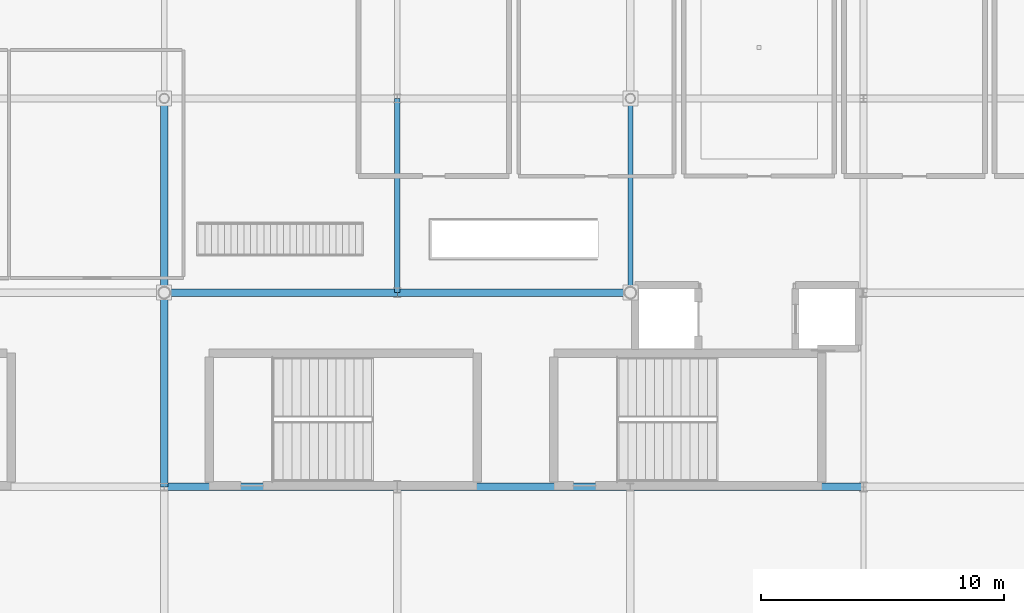
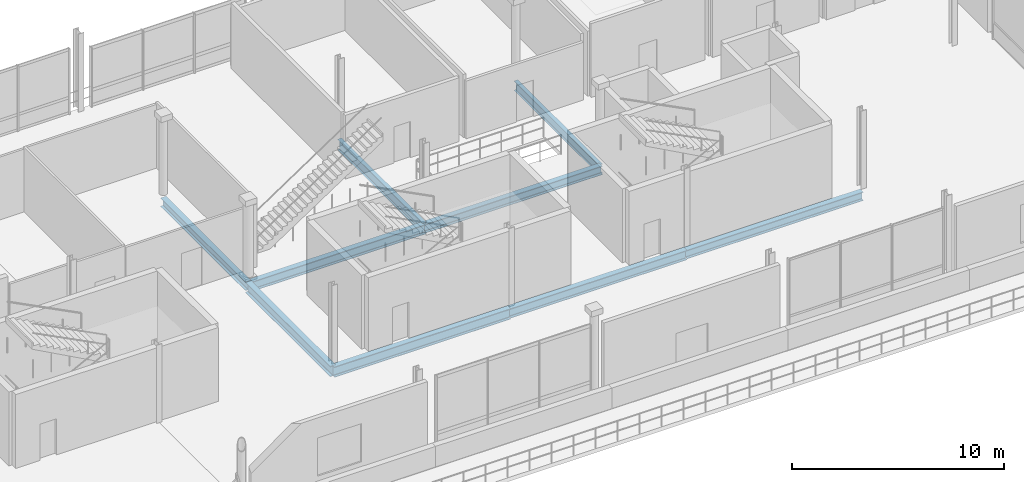
# One storey, part 16 of 36: 9 beams.
"""IFC4 building model written with IfcOpenShell, lengths in metres."""

from ifc_helpers import new_model, si_unit, direction, frame, origin, origin_2d, place, context, subcontext, project, spatial, i_section, extrude, material, material_profile, profile_set, type_object, element, save


model = new_model("IFC4")

# Units and contexts
model_context = context("Model", 3, precision=1e-05, world=origin(), true_north=direction((0.0, 1.0)))
body_context = subcontext(model_context, "Body", "Model", "MODEL_VIEW")
ifc_project = project(units=[si_unit("LENGTHUNIT", "METRE"), si_unit("AREAUNIT", "SQUARE_METRE"), si_unit("VOLUMEUNIT", "CUBIC_METRE"), si_unit("PLANEANGLEUNIT", "RADIAN"), si_unit("MASSUNIT", "GRAM", prefix="KILO")], contexts=[model_context])

# Site, building, storey
site_placement = place(None, origin())
site = spatial("IfcSite", under=ifc_project, at=site_placement, CompositionType="ELEMENT")
building_placement = place(site_placement, origin())
building = spatial("IfcBuilding", under=site, at=building_placement, Name="Danafjord Basin Convention Centre", CompositionType="ELEMENT")
storey_placement = place(building_placement, frame((0.0, 0.0, 20.39990234375)))
storey = spatial("IfcBuildingStorey", under=building, at=storey_placement, Name="L04", CompositionType="ELEMENT", Elevation=20.39990234375)

# Beams
ifc_material = material(Name="Steel S355", Category="steel")
ifc_material_profile_1 = material_profile(ifc_material, i_section(OverallWidth=0.300048828125, OverallDepth=0.5, WebThickness=0.014404296875, FlangeThickness=0.028076171875, FilletRadius=0.027099609375, at=origin_2d()), Name="HEB 500")
ifc_profile_set_1 = profile_set([ifc_material_profile_1], Name="Steel S355")
beam_type_1 = type_object("IfcBeamType", Name="BEAM-BM-HEB500", PredefinedType="BEAM", material=ifc_profile_set_1)
beam_1_placement = place(storey_placement, frame((76.800048828125, 24.0, -0.473876953125), z_axis=(1.0, 0.0, 0.0), x_axis=(0.0, 1.0, 0.0)))
element("IfcBeam", 1, at=beam_1_placement, inside=storey, type_object=beam_type_1, Name="L04 girder BM-HEB500", PredefinedType="BEAM", context=body_context, shape_type="SweptSolid", body=[
    extrude(i_section(OverallWidth=0.300048828125, OverallDepth=0.5, WebThickness=0.014404296875, FlangeThickness=0.028076171875, FilletRadius=0.027099609375, at=origin_2d()), origin(), (0.0, 0.0, 1.0), 9.599853515625),
])
beam_2_placement = place(storey_placement, frame((86.39990234375, 16.0, -0.473876953125), z_axis=(1.0, 0.0, 0.0), x_axis=(0.0, 1.0, 0.0)))
element("IfcBeam", 2, at=beam_2_placement, inside=storey, type_object=beam_type_1, Name="L04 girder BM-HEB500", PredefinedType="BEAM", context=body_context, shape_type="SweptSolid", body=[
    extrude(i_section(OverallWidth=0.300048828125, OverallDepth=0.5, WebThickness=0.014404296875, FlangeThickness=0.028076171875, FilletRadius=0.027099609375, at=origin_2d()), origin(), (0.0, 0.0, 1.0), 9.60009765625),
])
beam_3_placement = place(storey_placement, frame((67.199951171875, 24.0, -0.473876953125), z_axis=(0.0, 1.0, 0.0), x_axis=(-1.0, 0.0, 0.0)))
element("IfcBeam", 3, at=beam_3_placement, inside=storey, type_object=beam_type_1, Name="L04 transverse girder BM-HEB500", PredefinedType="BEAM", context=body_context, shape_type="SweptSolid", body=[
    extrude(i_section(OverallWidth=0.300048828125, OverallDepth=0.5, WebThickness=0.014404296875, FlangeThickness=0.028076171875, FilletRadius=0.027099609375, at=origin_2d()), origin(), (0.0, 0.0, 1.0), 8.0),
])
ifc_material_profile_2 = material_profile(ifc_material, i_section(OverallWidth=0.300048828125, OverallDepth=0.550048828125, WebThickness=0.014892578125, FlangeThickness=0.029052734375, FilletRadius=0.027099609375, at=origin_2d()), Name="HEB 550")
ifc_profile_set_2 = profile_set([ifc_material_profile_2], Name="Steel S355")
beam_type_2 = type_object("IfcBeamType", Name="BEAM-BM-HEB550", PredefinedType="BEAM", material=ifc_profile_set_2)
beam_4_placement = place(storey_placement, frame((67.199951171875, 24.0, -0.4990234375), z_axis=(1.0, 0.0, 0.0), x_axis=(0.0, 1.0, 0.0)))
element("IfcBeam", 4, at=beam_4_placement, inside=storey, type_object=beam_type_2, Name="L04 girder BM-HEB550", PredefinedType="BEAM", context=body_context, shape_type="SweptSolid", body=[
    extrude(i_section(OverallWidth=0.300048828125, OverallDepth=0.550048828125, WebThickness=0.014892578125, FlangeThickness=0.029052734375, FilletRadius=0.027099609375, at=origin_2d()), origin(), (0.0, 0.0, 1.0), 9.60009765625),
])
beam_5_placement = place(storey_placement, frame((76.800048828125, 16.0, -0.4990234375), z_axis=(1.0, 0.0, 0.0), x_axis=(0.0, 1.0, 0.0)))
element("IfcBeam", 5, at=beam_5_placement, inside=storey, type_object=beam_type_2, Name="L04 girder BM-HEB550", PredefinedType="BEAM", context=body_context, shape_type="SweptSolid", body=[
    extrude(i_section(OverallWidth=0.300048828125, OverallDepth=0.550048828125, WebThickness=0.014892578125, FlangeThickness=0.029052734375, FilletRadius=0.027099609375, at=origin_2d()), origin(), (0.0, 0.0, 1.0), 9.599853515625),
])
ifc_material_profile_3 = material_profile(ifc_material, i_section(OverallWidth=0.300048828125, OverallDepth=0.60009765625, WebThickness=0.015380859375, FlangeThickness=0.030029296875, FilletRadius=0.027099609375, at=origin_2d()), Name="HEB 600")
ifc_profile_set_3 = profile_set([ifc_material_profile_3], Name="Steel S355")
beam_type_3 = type_object("IfcBeamType", Name="BEAM-BM-HEB600", PredefinedType="BEAM", material=ifc_profile_set_3)
beam_6_placement = place(storey_placement, frame((67.199951171875, 16.0, -0.52392578125), z_axis=(1.0, 0.0, 0.0), x_axis=(0.0, 1.0, 0.0)))
element("IfcBeam", 6, at=beam_6_placement, inside=storey, type_object=beam_type_3, Name="L04 girder BM-HEB600", PredefinedType="BEAM", context=body_context, shape_type="SweptSolid", body=[
    extrude(i_section(OverallWidth=0.300048828125, OverallDepth=0.60009765625, WebThickness=0.015380859375, FlangeThickness=0.030029296875, FilletRadius=0.027099609375, at=origin_2d()), origin(), (0.0, 0.0, 1.0), 9.60009765625),
])
beam_7_placement = place(storey_placement, frame((67.199951171875, 16.0, -0.52392578125), z_axis=(0.0, 1.0, 0.0), x_axis=(-1.0, 0.0, 0.0)))
element("IfcBeam", 7, at=beam_7_placement, inside=storey, type_object=beam_type_3, Name="L04 transverse girder BM-HEB600", PredefinedType="BEAM", context=body_context, shape_type="SweptSolid", body=[
    extrude(i_section(OverallWidth=0.300048828125, OverallDepth=0.60009765625, WebThickness=0.015380859375, FlangeThickness=0.030029296875, FilletRadius=0.027099609375, at=origin_2d()), origin(), (0.0, 0.0, 1.0), 8.0),
])
ifc_material_profile_4 = material_profile(ifc_material, i_section(OverallWidth=0.2099609375, OverallDepth=0.550048828125, WebThickness=0.010986328125, FlangeThickness=0.01708984375, FilletRadius=0.02392578125, at=origin_2d()), Name="IPE 550")
ifc_profile_set_4 = profile_set([ifc_material_profile_4], Name="Steel S355")
beam_type_4 = type_object("IfcBeamType", Name="BEAM-BM-IPE550", PredefinedType="BEAM", material=ifc_profile_set_4)
beam_8_placement = place(storey_placement, frame((86.39990234375, 24.0, -0.4990234375), z_axis=(0.0, 1.0, 0.0), x_axis=(-1.0, 0.0, 0.0)))
element("IfcBeam", 8, at=beam_8_placement, inside=storey, type_object=beam_type_4, Name="L04 transverse girder BM-IPE550", PredefinedType="BEAM", context=body_context, shape_type="SweptSolid", body=[
    extrude(i_section(OverallWidth=0.2099609375, OverallDepth=0.550048828125, WebThickness=0.010986328125, FlangeThickness=0.01708984375, FilletRadius=0.02392578125, at=origin_2d()), origin(), (0.0, 0.0, 1.0), 8.0),
])
ifc_material_profile_5 = material_profile(ifc_material, i_section(OverallWidth=0.219970703125, OverallDepth=0.60009765625, WebThickness=0.011962890625, FlangeThickness=0.01904296875, FilletRadius=0.02392578125, at=origin_2d()), Name="IPE 600")
ifc_profile_set_5 = profile_set([ifc_material_profile_5], Name="Steel S355")
beam_type_5 = type_object("IfcBeamType", Name="BEAM-BM-IPE600", PredefinedType="BEAM", material=ifc_profile_set_5)
beam_9_placement = place(storey_placement, frame((76.800048828125, 24.0, -0.52392578125), z_axis=(0.0, 1.0, 0.0), x_axis=(-1.0, 0.0, 0.0)))
element("IfcBeam", 9, at=beam_9_placement, inside=storey, type_object=beam_type_5, Name="L04 transverse girder BM-IPE600", PredefinedType="BEAM", context=body_context, shape_type="SweptSolid", body=[
    extrude(i_section(OverallWidth=0.219970703125, OverallDepth=0.60009765625, WebThickness=0.011962890625, FlangeThickness=0.01904296875, FilletRadius=0.02392578125, at=origin_2d()), origin(), (0.0, 0.0, 1.0), 8.0),
])

save(model, "model.ifc")
